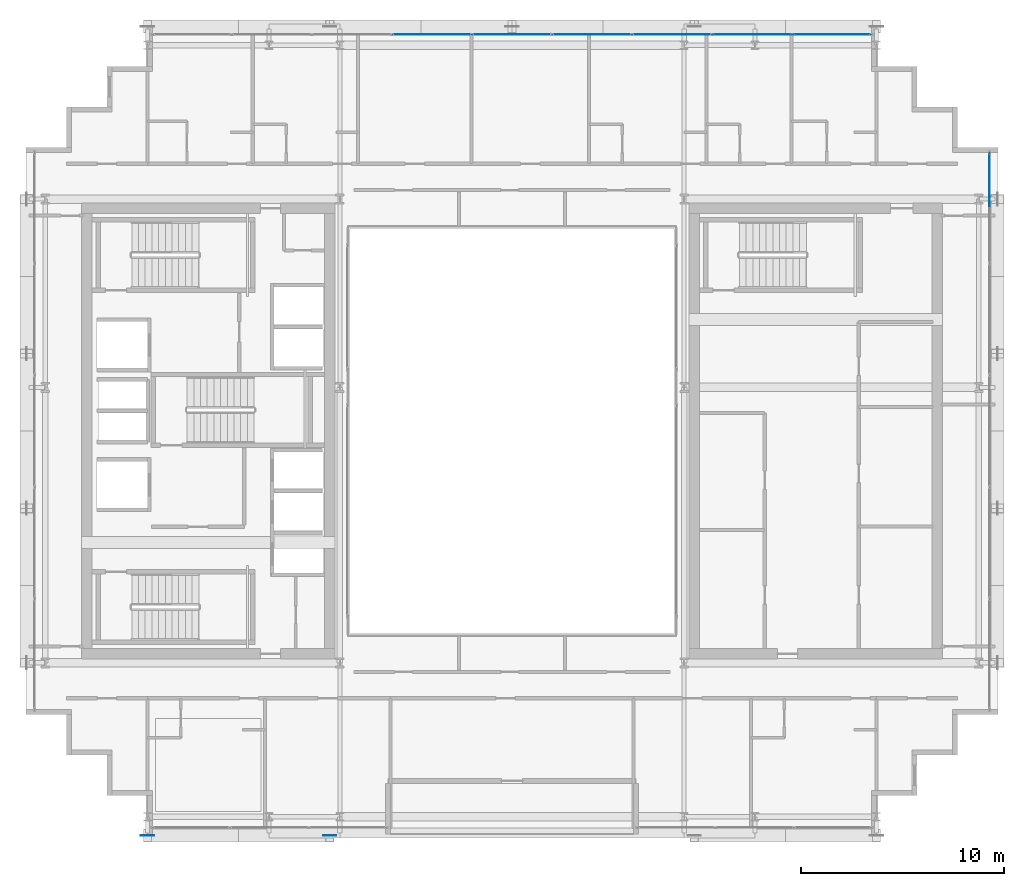
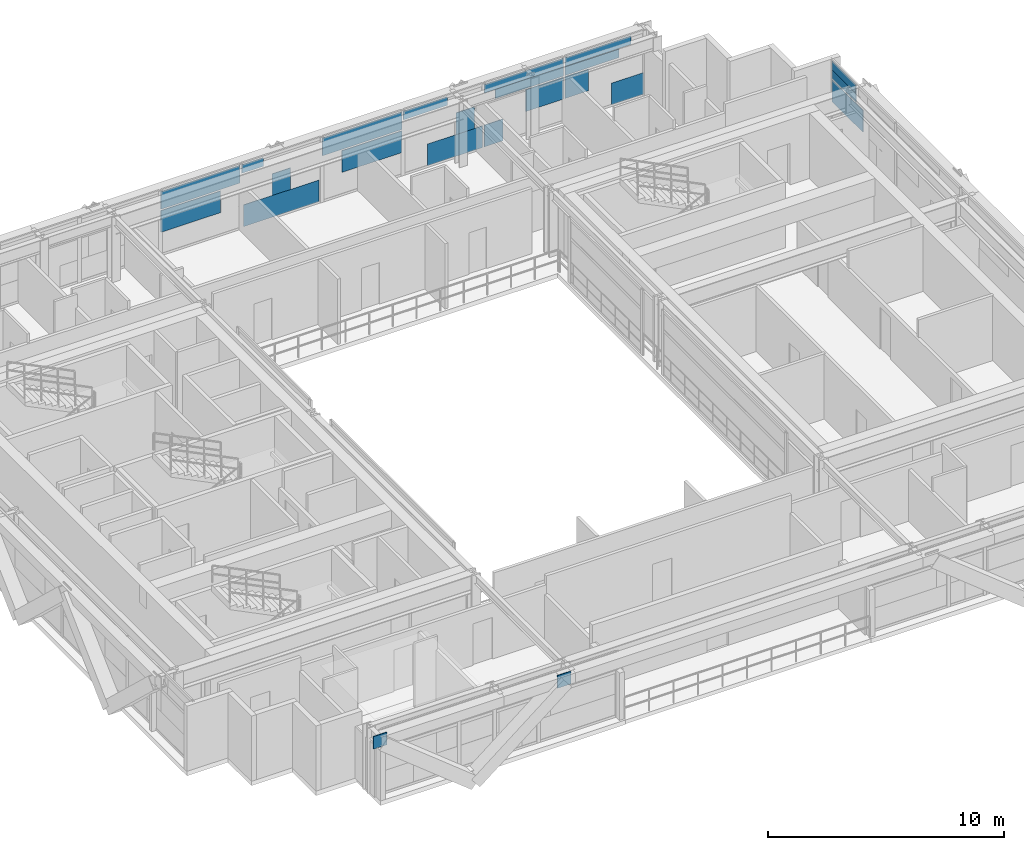
# One storey, part 26 of 37: 23 plates, 2 elements without a shape of their own.
"""IFC4 building model written with IfcOpenShell, lengths in metres."""

from ifc_helpers import new_model, si_unit, direction, frame, origin, origin_2d, place, context, subcontext, project, spatial, rectangle, extrude, source, transform, mapped, material, layer, layer_set, type_object, element, aggregate, save


model = new_model("IFC4")

# Units and contexts
model_context = context("Model", 3, precision=1e-05, world=origin(), true_north=direction((0.0, 1.0)))
body_context = subcontext(model_context, "Body", "Model", "MODEL_VIEW")
ifc_project = project(units=[si_unit("LENGTHUNIT", "METRE"), si_unit("AREAUNIT", "SQUARE_METRE"), si_unit("VOLUMEUNIT", "CUBIC_METRE"), si_unit("PLANEANGLEUNIT", "RADIAN"), si_unit("MASSUNIT", "GRAM", prefix="KILO")], contexts=[model_context])

# Site, building, storey
site_placement = place(None, origin())
site = spatial("IfcSite", under=ifc_project, at=site_placement, CompositionType="ELEMENT")
building_placement = place(site_placement, origin())
building = spatial("IfcBuilding", under=site, at=building_placement, Name="Ocotamira Hotel", CompositionType="ELEMENT")
storey_placement = place(building_placement, frame((0.0, 0.0, 192.0)))
storey = spatial("IfcBuildingStorey", under=building, at=storey_placement, Name="L48", CompositionType="ELEMENT", Elevation=192.0)

# Plates
ifc_material_1 = material(Name="Pale-metal coated steel ASTM A572 Grade 50", Category="steel")
ifc_layer_1 = layer(ifc_material_1, 0.0400390625)
ifc_layer_set_1 = layer_set([ifc_layer_1], Name="Pale-metal coated steel ASTM A572 Grade 50")
plate_type_1 = type_object("IfcPlateType", Name="PLT-GUSSET-40", PredefinedType="SHEET", material=ifc_layer_set_1)
shared_shape_1 = source(origin(), body_context, "Body", "SweptSolid", [
    extrude(rectangle(XDim=0.64990234375, YDim=0.0400390625, at=origin_2d()), origin(), (0.0, 0.0, 1.0), 0.64990234375),
])
for number, where, z_axis, x_axis, name in (
    (1, (14.0, 6.030029296875, 2.795166015625), (0.0, 0.0, 1.0), (-1.0, 0.0, 0.0), "L48 Exoskeleton Diagrid S0.1 End Gusset B"),
    (2, (23.0, 6.030029296875, 2.795166015625), (0.0, 0.0, 1.0), (1.0, 0.0, 0.0), "L48 Exoskeleton Diagrid S0.2 End Gusset B"),
):
    element("IfcPlate", number, at=place(storey_placement, frame(where, z_axis=z_axis, x_axis=x_axis)), inside=storey, type_object=plate_type_1, Name=name, PredefinedType="SHEET", context=body_context, shape_type="MappedRepresentation", body=[
        mapped(shared_shape_1, transform((0.0, 0.0, 0.0), scale=1.0)),
    ])

# Curtain wall, plates
ifc_material_2 = material(Name="Anodised pale-metal aluminium and solar glass", Category="aluminium")
ifc_layer_2 = layer(ifc_material_2, 0.199951171875)
ifc_layer_set_2 = layer_set([ifc_layer_2], Name="Anodised pale-metal aluminium and solar glass")
curtain_wall_type = type_object("IfcCurtainWallType", Name="CW-SYS4-Z3", PredefinedType="NOTDEFINED", material=ifc_layer_set_2)
curtain_wall_1_placement = place(storey_placement, origin())
curtain_wall_1 = element("IfcCurtainWall", 3, at=curtain_wall_1_placement, inside=storey, type_object=curtain_wall_type, Name="L48 Curtain Wall CW-4 CW-L48-N", PredefinedType="NOTDEFINED")
ifc_material_3 = material(Name="Double-silver low-E insulated solar glass", Category="glass")
ifc_layer_3 = layer(ifc_material_3, 0.031982421875)
ifc_layer_set_3 = layer_set([ifc_layer_3], Name="Double-silver low-E insulated solar glass")
plate_type_2 = type_object("IfcPlateType", Name="CWP-VISION-32", PredefinedType="CURTAIN_PANEL", material=ifc_layer_set_3)
shared_shape_2 = source(origin(), body_context, "Body", "SweptSolid", [
    extrude(rectangle(XDim=1.5673828125, YDim=0.031982421875, at=origin_2d()), origin(), (0.0, 0.0, 1.0), 1.118896484375),
])
plate_1_placement = place(storey_placement, frame((48.936279296875, 45.580078125, 0.0751953125), z_axis=(0.0, 0.0, 1.0), x_axis=(1.0, 0.0, 0.0)))
plate_1 = element("IfcPlate", 4, at=plate_1_placement, type_object=plate_type_2, Name="CW-4 panel 9.1.2", PredefinedType="CURTAIN_PANEL", context=body_context, shape_type="MappedRepresentation", body=[
    mapped(shared_shape_2, transform((0.0, 0.0, 0.0), scale=1.0)),
])
shared_shape_3 = source(origin(), body_context, "Body", "SweptSolid", [
    extrude(rectangle(XDim=3.233154296875, YDim=0.031982421875, at=origin_2d()), origin(), (0.0, 0.0, 1.0), 0.4326171875),
])
plate_2_placement = place(storey_placement, frame((47.5009765625, 45.580078125, 2.8623046875), z_axis=(0.0, 0.0, 1.0), x_axis=(1.0, 0.0, 0.0)))
plate_2 = element("IfcPlate", 5, at=plate_2_placement, type_object=plate_type_2, Name="CW-4 panel 9.2.2", PredefinedType="CURTAIN_PANEL", context=body_context, shape_type="MappedRepresentation", body=[
    mapped(shared_shape_3, transform((0.0, 0.0, 0.0), scale=1.0)),
])
shared_shape_4 = source(origin(), body_context, "Body", "SweptSolid", [
    extrude(rectangle(XDim=2.6396484375, YDim=0.031982421875, at=origin_2d()), origin(), (0.0, 0.0, 1.0), 0.443603515625),
])
plate_3_placement = place(storey_placement, frame((47.204345703125, 45.580078125, 2.3876953125), z_axis=(0.0, 0.0, 1.0), x_axis=(1.0, 0.0, 0.0)))
plate_3 = element("IfcPlate", 6, at=plate_3_placement, type_object=plate_type_2, Name="CW-4 panel 9.2.1", PredefinedType="CURTAIN_PANEL", context=body_context, shape_type="MappedRepresentation", body=[
    mapped(shared_shape_4, transform((0.0, 0.0, 0.0), scale=1.0)),
])
shared_shape_5 = source(origin(), body_context, "Body", "SweptSolid", [
    extrude(rectangle(XDim=0.918701171875, YDim=0.031982421875, at=origin_2d()), origin(), (0.0, 0.0, 1.0), 1.118896484375),
])
plate_4_placement = place(storey_placement, frame((42.38818359375, 45.580078125, 0.0751953125), z_axis=(0.0, 0.0, 1.0), x_axis=(1.0, 0.0, 0.0)))
plate_4 = element("IfcPlate", 7, at=plate_4_placement, type_object=plate_type_2, Name="CW-4 panel 8.1.1", PredefinedType="CURTAIN_PANEL", context=body_context, shape_type="MappedRepresentation", body=[
    mapped(shared_shape_5, transform((0.0, 0.0, 0.0), scale=1.0)),
])
shared_shape_6 = source(origin(), body_context, "Body", "SweptSolid", [
    extrude(rectangle(XDim=3.32861328125, YDim=0.031982421875, at=origin_2d()), origin(), (0.0, 0.0, 1.0), 0.474853515625),
])
plate_5_placement = place(storey_placement, frame((44.14013671875, 45.580078125, 2.3876953125), z_axis=(0.0, 0.0, 1.0), x_axis=(1.0, 0.0, 0.0)))
plate_5 = element("IfcPlate", 8, at=plate_5_placement, type_object=plate_type_2, Name="CW-4 panel 8.2.2", PredefinedType="CURTAIN_PANEL", context=body_context, shape_type="MappedRepresentation", body=[
    mapped(shared_shape_6, transform((0.0, 0.0, 0.0), scale=1.0)),
])
shared_shape_7 = source(origin(), body_context, "Body", "SweptSolid", [
    extrude(rectangle(XDim=3.87548828125, YDim=0.031982421875, at=origin_2d()), origin(), (0.0, 0.0, 1.0), 0.4326171875),
])
plate_6_placement = place(storey_placement, frame((43.86669921875, 45.580078125, 2.8623046875), z_axis=(0.0, 0.0, 1.0), x_axis=(1.0, 0.0, 0.0)))
plate_6 = element("IfcPlate", 9, at=plate_6_placement, type_object=plate_type_2, Name="CW-4 panel 8.2.1", PredefinedType="CURTAIN_PANEL", context=body_context, shape_type="MappedRepresentation", body=[
    mapped(shared_shape_7, transform((0.0, 0.0, 0.0), scale=1.0)),
])
shared_shape_8 = source(origin(), body_context, "Body", "SweptSolid", [
    extrude(rectangle(XDim=2.6962890625, YDim=0.031982421875, at=origin_2d()), origin(), (0.0, 0.0, 1.0), 1.118896484375),
])
plate_7_placement = place(storey_placement, frame((40.500732421875, 45.580078125, 0.0751953125), z_axis=(0.0, 0.0, 1.0), x_axis=(1.0, 0.0, 0.0)))
plate_7 = element("IfcPlate", 10, at=plate_7_placement, type_object=plate_type_2, Name="CW-4 panel 7.1.1", PredefinedType="CURTAIN_PANEL", context=body_context, shape_type="MappedRepresentation", body=[
    mapped(shared_shape_8, transform((0.0, 0.0, 0.0), scale=1.0)),
])
shared_shape_9 = source(origin(), body_context, "Body", "SweptSolid", [
    extrude(rectangle(XDim=2.144287109375, YDim=0.031982421875, at=origin_2d()), origin(), (0.0, 0.0, 1.0), 0.4326171875),
])
plate_8_placement = place(storey_placement, frame((39.04541015625, 45.580078125, 2.8623046875), z_axis=(0.0, 0.0, 1.0), x_axis=(1.0, 0.0, 0.0)))
plate_8 = element("IfcPlate", 11, at=plate_8_placement, type_object=plate_type_2, Name="CW-4 panel 7.2.1", PredefinedType="CURTAIN_PANEL", context=body_context, shape_type="MappedRepresentation", body=[
    mapped(shared_shape_9, transform((0.0, 0.0, 0.0), scale=1.0)),
])
shared_shape_10 = source(origin(), body_context, "Body", "SweptSolid", [
    extrude(rectangle(XDim=3.87548828125, YDim=0.031982421875, at=origin_2d()), origin(), (0.0, 0.0, 1.0), 0.907470703125),
])
plate_9_placement = place(storey_placement, frame((28.04443359375, 45.580078125, 2.3876953125), z_axis=(0.0, 0.0, 1.0), x_axis=(1.0, 0.0, 0.0)))
plate_9 = element("IfcPlate", 12, at=plate_9_placement, type_object=plate_type_2, Name="CW-4 panel 4.2", PredefinedType="CURTAIN_PANEL", context=body_context, shape_type="MappedRepresentation", body=[
    mapped(shared_shape_10, transform((0.0, 0.0, 0.0), scale=1.0)),
])
plate_10_placement = place(storey_placement, frame((35.95556640625, 45.580078125, 2.3876953125), z_axis=(0.0, 0.0, 1.0), x_axis=(1.0, 0.0, 0.0)))
plate_10 = element("IfcPlate", 13, at=plate_10_placement, type_object=plate_type_2, Name="CW-4 panel 6.2", PredefinedType="CURTAIN_PANEL", context=body_context, shape_type="MappedRepresentation", body=[
    mapped(shared_shape_10, transform((0.0, 0.0, 0.0), scale=1.0)),
])
shared_shape_11 = source(origin(), body_context, "Body", "SweptSolid", [
    extrude(rectangle(XDim=3.695068359375, YDim=0.031982421875, at=origin_2d()), origin(), (0.0, 0.0, 1.0), 1.118896484375),
])
plate_11_placement = place(storey_placement, frame((32.0, 45.580078125, 0.0751953125), z_axis=(0.0, 0.0, 1.0), x_axis=(1.0, 0.0, 0.0)))
plate_11 = element("IfcPlate", 14, at=plate_11_placement, type_object=plate_type_2, Name="CW-4 panel 5.1.1", PredefinedType="CURTAIN_PANEL", context=body_context, shape_type="MappedRepresentation", body=[
    mapped(shared_shape_11, transform((0.0, 0.0, 0.0), scale=1.0)),
])
shared_shape_12 = source(origin(), body_context, "Body", "SweptSolid", [
    extrude(rectangle(XDim=1.055419921875, YDim=0.031982421875, at=origin_2d()), origin(), (0.0, 0.0, 1.0), 0.4326171875),
])
plate_12_placement = place(storey_placement, frame((30.58984375, 45.580078125, 2.8623046875), z_axis=(0.0, 0.0, 1.0), x_axis=(1.0, 0.0, 0.0)))
plate_12 = element("IfcPlate", 15, at=plate_12_placement, type_object=plate_type_2, Name="CW-4 panel 5.2.1", PredefinedType="CURTAIN_PANEL", context=body_context, shape_type="MappedRepresentation", body=[
    mapped(shared_shape_12, transform((0.0, 0.0, 0.0), scale=1.0)),
])

curtain_wall_2_placement = place(storey_placement, origin())
curtain_wall_2 = element("IfcCurtainWall", 16, at=curtain_wall_2_placement, inside=storey, type_object=curtain_wall_type, Name="L48 Curtain Wall CW-4 CW-L48-E", PredefinedType="NOTDEFINED")
shared_shape_13 = source(origin(), body_context, "Body", "SweptSolid", [
    extrude(rectangle(XDim=2.048095703125, YDim=0.031982421875, at=origin_2d()), origin(), (0.0, 0.0, 1.0), 0.460693359375),
])
plate_13_placement = place(storey_placement, frame((55.580078125, 38.696044921875, 2.3876953125), z_axis=(0.0, 0.0, 1.0), x_axis=(0.0, 1.0, 0.0)))
plate_13 = element("IfcPlate", 17, at=plate_13_placement, type_object=plate_type_2, Name="CW-4 panel 5.2.3", PredefinedType="CURTAIN_PANEL", context=body_context, shape_type="MappedRepresentation", body=[
    mapped(shared_shape_13, transform((0.0, 0.0, 0.0), scale=1.0)),
])
shared_shape_14 = source(origin(), body_context, "Body", "SweptSolid", [
    extrude(rectangle(XDim=2.01171875, YDim=0.031982421875, at=origin_2d()), origin(), (0.0, 0.0, 1.0), 0.44677734375),
])
plate_14_placement = place(storey_placement, frame((55.580078125, 38.714111328125, 2.84814453125), z_axis=(0.0, 0.0, 1.0), x_axis=(0.0, 1.0, 0.0)))
plate_14 = element("IfcPlate", 18, at=plate_14_placement, type_object=plate_type_2, Name="CW-4 panel 5.2.4", PredefinedType="CURTAIN_PANEL", context=body_context, shape_type="MappedRepresentation", body=[
    mapped(shared_shape_14, transform((0.0, 0.0, 0.0), scale=1.0)),
])

# Plate
shared_shape_15 = source(origin(), body_context, "Body", "SweptSolid", [
    extrude(rectangle(XDim=0.898193359375, YDim=0.031982421875, at=origin_2d()), origin(), (0.0, 0.0, 1.0), 1.118896484375),
])
plate_15_placement = place(storey_placement, frame((32.0, 45.580078125, 1.19384765625), z_axis=(0.0, 0.0, 1.0), x_axis=(1.0, 0.0, 0.0)))
plate_15 = element("IfcPlate", 19, at=plate_15_placement, type_object=plate_type_2, Name="CW-4 panel 5.1.2", PredefinedType="CURTAIN_PANEL", context=body_context, shape_type="MappedRepresentation", body=[
    mapped(shared_shape_15, transform((0.0, 0.0, 0.0), scale=1.0)),
])

plate_16_placement = place(storey_placement, frame((41.0, 45.580078125, 1.19384765625), z_axis=(0.0, 0.0, 1.0), x_axis=(1.0, 0.0, 0.0)))
plate_16 = element("IfcPlate", 20, at=plate_16_placement, type_object=plate_type_2, Name="CW-4 panel 7.1.2", PredefinedType="CURTAIN_PANEL", context=body_context, shape_type="MappedRepresentation", body=[
    mapped(shared_shape_15, transform((0.0, 0.0, 0.0), scale=1.0)),
])

shared_shape_16 = source(origin(), body_context, "Body", "SweptSolid", [
    extrude(rectangle(XDim=1.1474609375, YDim=0.031982421875, at=origin_2d()), origin(), (0.0, 0.0, 1.0), 1.118896484375),
])
plate_17_placement = place(storey_placement, frame((46.458251953125, 45.580078125, 1.19384765625), z_axis=(0.0, 0.0, 1.0), x_axis=(1.0, 0.0, 0.0)))
plate_17 = element("IfcPlate", 21, at=plate_17_placement, type_object=plate_type_2, Name="CW-4 panel 9.1.1", PredefinedType="CURTAIN_PANEL", context=body_context, shape_type="MappedRepresentation", body=[
    mapped(shared_shape_16, transform((0.0, 0.0, 0.0), scale=1.0)),
])

shared_shape_17 = source(origin(), body_context, "Body", "SweptSolid", [
    extrude(rectangle(XDim=1.83642578125, YDim=0.031982421875, at=origin_2d()), origin(), (0.0, 0.0, 1.0), 1.118896484375),
])
plate_18_placement = place(storey_placement, frame((44.88623046875, 45.580078125, 1.19384765625), z_axis=(0.0, 0.0, 1.0), x_axis=(1.0, 0.0, 0.0)))
plate_18 = element("IfcPlate", 22, at=plate_18_placement, type_object=plate_type_2, Name="CW-4 panel 8.1.2", PredefinedType="CURTAIN_PANEL", context=body_context, shape_type="MappedRepresentation", body=[
    mapped(shared_shape_17, transform((0.0, 0.0, 0.0), scale=1.0)),
])

shared_shape_18 = source(origin(), body_context, "Body", "SweptSolid", [
    extrude(rectangle(XDim=2.92529296875, YDim=0.031982421875, at=origin_2d()), origin(), (0.0, 0.0, 1.0), 1.118896484375),
])
plate_19_placement = place(storey_placement, frame((27.5693359375, 45.580078125, 1.19384765625), z_axis=(0.0, 0.0, 1.0), x_axis=(1.0, 0.0, 0.0)))
plate_19 = element("IfcPlate", 23, at=plate_19_placement, type_object=plate_type_2, Name="CW-4 panel 4.1.1", PredefinedType="CURTAIN_PANEL", context=body_context, shape_type="MappedRepresentation", body=[
    mapped(shared_shape_18, transform((0.0, 0.0, 0.0), scale=1.0)),
])

plate_20_placement = place(storey_placement, frame((36.4306640625, 45.580078125, 1.19384765625), z_axis=(0.0, 0.0, 1.0), x_axis=(1.0, 0.0, 0.0)))
plate_20 = element("IfcPlate", 24, at=plate_20_placement, type_object=plate_type_2, Name="CW-4 panel 6.1.1", PredefinedType="CURTAIN_PANEL", context=body_context, shape_type="MappedRepresentation", body=[
    mapped(shared_shape_18, transform((0.0, 0.0, 0.0), scale=1.0)),
])

aggregate(curtain_wall_1, [plate_19, plate_9, plate_11, plate_15, plate_12, plate_20, plate_10, plate_7, plate_16, plate_8, plate_4, plate_18, plate_6, plate_5, plate_17, plate_1, plate_3, plate_2])

shared_shape_19 = source(origin(), body_context, "Body", "SweptSolid", [
    extrude(rectangle(XDim=2.615966796875, YDim=0.031982421875, at=origin_2d()), origin(), (0.0, 0.0, 1.0), 1.118896484375),
])
plate_21_placement = place(storey_placement, frame((55.580078125, 38.412109375, 1.19384765625), z_axis=(0.0, 0.0, 1.0), x_axis=(0.0, 1.0, 0.0)))
plate_21 = element("IfcPlate", 25, at=plate_21_placement, type_object=plate_type_2, Name="CW-4 panel 5.1.2", PredefinedType="CURTAIN_PANEL", context=body_context, shape_type="MappedRepresentation", body=[
    mapped(shared_shape_19, transform((0.0, 0.0, 0.0), scale=1.0)),
])

aggregate(curtain_wall_2, [plate_21, plate_13, plate_14])

save(model, "model.ifc")
